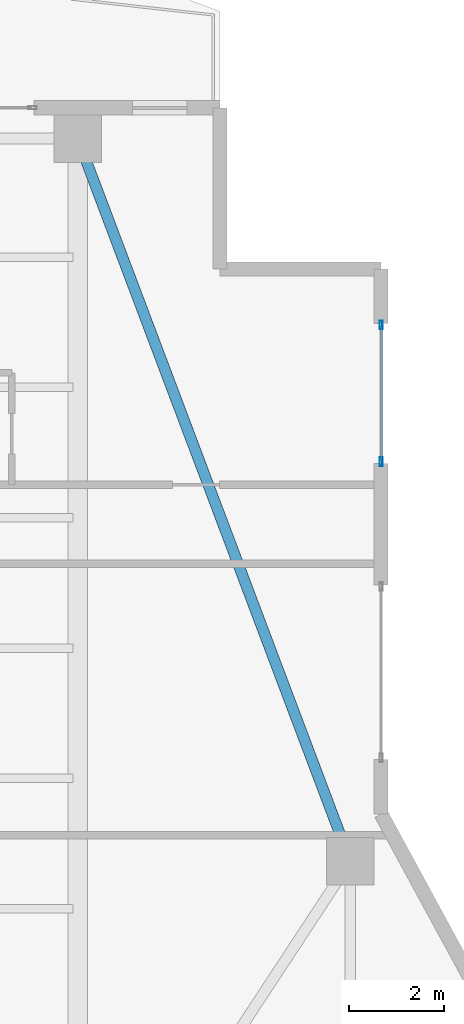
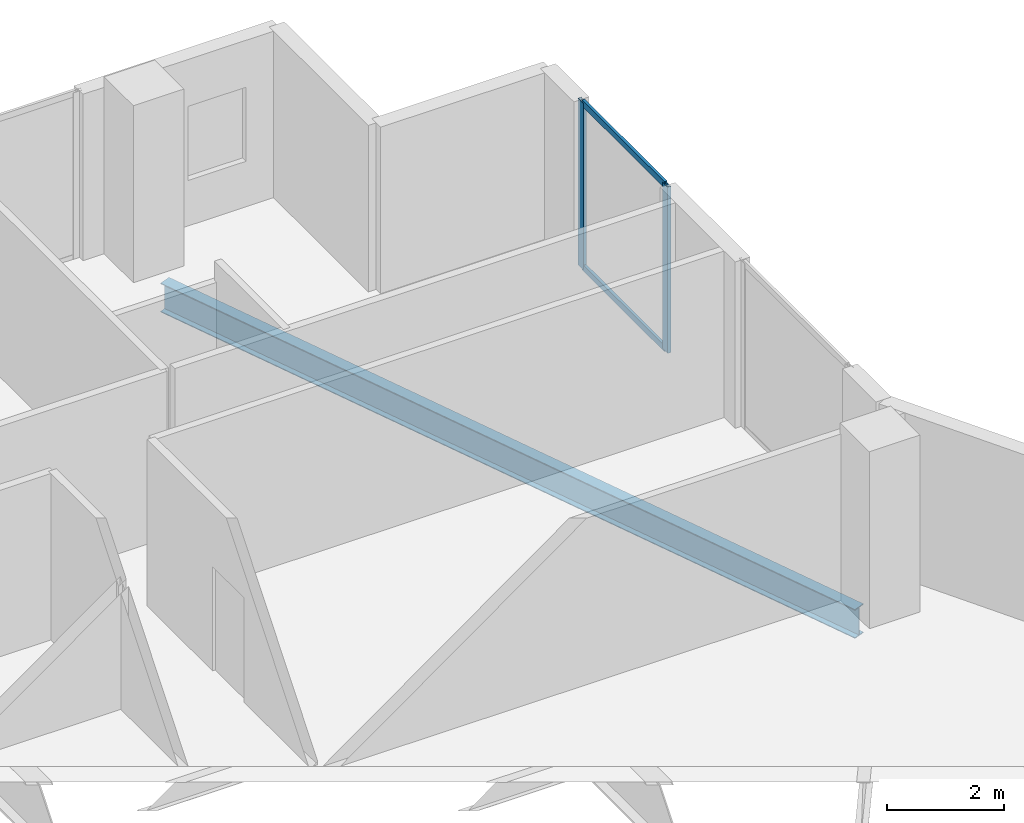
# One storey, part 16 of 25: 4 members, 1 beam, 1 element without a shape of its own.
"""IFC4 building model written with IfcOpenShell, lengths in metres."""

import ifcopenshell
import ifcopenshell.guid

model = None  # the IFC model being written
_history = None  # IfcOwnerHistory: only IFC2X3 demands one
_inside = {}  # id of a spatial element -> (the spatial element, [elements in it])
_under = {}  # id of a project, library or spatial element -> (it, [spatial elements below it])
_declared = {}  # id of a project -> (the project, [libraries it declares])
_typed = {}  # id of a type object -> (the type object, [elements of that type])
_made_of = {}  # id of a material, layer set ... -> (it, [elements and type objects made of it])


def new_model(schema):
    """Start an empty IFC model of exactly this schema.

    Asked for "IFC4X3", IfcOpenShell would pick the latest addendum, in which some entities
    have other attributes; the version numbers below select the first issue.
    IFC2X3 requires an IfcOwnerHistory on every rooted entity: one is made here for all.
    """
    global model, _history
    if schema == "IFC4X3":
        model = ifcopenshell.file(schema_version=(4, 3, 0, 0))
    else:
        model = ifcopenshell.file(schema=schema)
    _inside.clear()
    _under.clear()
    _declared.clear()
    _typed.clear()
    _made_of.clear()
    _history = None
    if model.schema == "IFC2X3":
        org = make("IfcOrganization", Name="unknown")
        user = make(
            "IfcPersonAndOrganization",
            ThePerson=make("IfcPerson", FamilyName="unknown"),
            TheOrganization=org,
        )
        app = make(
            "IfcApplication",
            ApplicationDeveloper=org,
            Version="unknown",
            ApplicationFullName="unknown",
            ApplicationIdentifier="unknown",
        )
        _history = make(
            "IfcOwnerHistory",
            OwningUser=user,
            OwningApplication=app,
            ChangeAction="ADDED",
            CreationDate=0,
        )
    return model


def make(cls, **values):
    """One entity of the class cls with the attributes given. An attribute that is None is left unset."""
    return model.create_entity(
        cls, **{name: value for name, value in values.items() if value is not None}
    )


def rooted(cls, **values):
    """An entity with a GlobalId (a new one), such as an element, a storey or a relation."""
    return make(cls, GlobalId=ifcopenshell.guid.new(), OwnerHistory=_history, **values)


def si_unit(unit_type, name, prefix=None):
    """IfcSIUnit, for example si_unit("LENGTHUNIT", "METRE", prefix="MILLI")."""
    return make("IfcSIUnit", UnitType=unit_type, Prefix=prefix, Name=name)


def assignment(units):
    """IfcUnitAssignment: the units of a project."""
    return None if units is None else make("IfcUnitAssignment", Units=units)


def point(xyz):
    """IfcCartesianPoint."""
    return None if xyz is None else make("IfcCartesianPoint", Coordinates=xyz)


def direction(xyz):
    """IfcDirection."""
    return None if xyz is None else make("IfcDirection", DirectionRatios=xyz)


def frame(location, z_axis=None, x_axis=None):
    """IfcAxis2Placement3D, a coordinate frame: its origin and axes. An axis left out is left unset."""
    return make(
        "IfcAxis2Placement3D",
        Location=point(location),
        Axis=direction(z_axis),
        RefDirection=direction(x_axis),
    )


def frame_2d(location, x_axis=None):
    """IfcAxis2Placement2D, a coordinate frame in the plane: its origin and x axis."""
    return make(
        "IfcAxis2Placement2D", Location=point(location), RefDirection=direction(x_axis)
    )


def origin():
    """The frame at (0, 0, 0) with its axes left unset."""
    return frame((0.0, 0.0, 0.0))


def origin_2d():
    """The frame at (0, 0) in the plane with its x axis left unset."""
    return frame_2d((0.0, 0.0))


def place(relative_to, where):
    """IfcLocalPlacement: puts the frame where relative to a parent placement (None: the world)."""
    return make(
        "IfcLocalPlacement", PlacementRelTo=relative_to, RelativePlacement=where
    )


def context(
    kind, dimensions, precision=None, world=None, true_north=None, identifier=None
):
    """IfcGeometricRepresentationContext, for example the 3D "Model" context."""
    return make(
        "IfcGeometricRepresentationContext",
        ContextIdentifier=identifier,
        ContextType=kind,
        CoordinateSpaceDimension=dimensions,
        Precision=precision,
        WorldCoordinateSystem=world,
        TrueNorth=true_north,
    )


def subcontext(parent, identifier, kind, view, scale=None):
    """IfcGeometricRepresentationSubContext, for example "Body" below "Model"."""
    return make(
        "IfcGeometricRepresentationSubContext",
        ContextIdentifier=identifier,
        ContextType=kind,
        ParentContext=parent,
        TargetScale=scale,
        TargetView=view,
    )


def project(units=None, contexts=None):
    """IfcProject with its units and contexts."""
    return rooted(
        "IfcProject",
        Name="project",
        RepresentationContexts=contexts,
        UnitsInContext=assignment(units),
    )


def spatial(cls, under=None, at=None, **own):
    """A site, building, storey or space (cls), placed at a placement, below another one or the project."""
    s = rooted(cls, ObjectPlacement=at, **own)
    if under is not None:
        _under.setdefault(under.id(), (under, []))[1].append(s)
    return s


def profile(cls, at=None, kind="AREA", **sizes):
    """A parametric profile (cls). Its sizes go by their IFC names, for example OverallWidth=200.0."""
    return make(cls, ProfileType=kind, Position=at, **sizes)


def hollow_rectangle(**sizes):
    """IfcRectangleHollowProfileDef."""
    return profile("IfcRectangleHollowProfileDef", **sizes)


def i_section(**sizes):
    """IfcIShapeProfileDef."""
    return profile("IfcIShapeProfileDef", **sizes)


def extrude(swept, where, along, depth):
    """IfcExtrudedAreaSolid: the profile swept, set in the frame where, extruded along a direction by depth."""
    return make(
        "IfcExtrudedAreaSolid",
        SweptArea=swept,
        Position=where,
        ExtrudedDirection=direction(along),
        Depth=depth,
    )


def shape(context_of_items, identifier, shape_type, items):
    """IfcShapeRepresentation: the items that make up one representation, for example the "Body"."""
    return make(
        "IfcShapeRepresentation",
        ContextOfItems=context_of_items,
        RepresentationIdentifier=identifier,
        RepresentationType=shape_type,
        Items=items,
    )


def material(Name=None, Category=None):
    """IfcMaterial."""
    return make("IfcMaterial", Name=Name, Category=Category)


def layer(
    of_material, thickness, ventilated=None, Name=None, Category=None, Priority=None
):
    """IfcMaterialLayer: one layer of a wall or slab, of a material (None: an air gap)."""
    return make(
        "IfcMaterialLayer",
        Material=of_material,
        LayerThickness=thickness,
        IsVentilated=ventilated,
        Name=Name,
        Category=Category,
        Priority=Priority,
    )


def layer_set(layers, Name=None):
    """IfcMaterialLayerSet."""
    return make("IfcMaterialLayerSet", MaterialLayers=layers, LayerSetName=Name)


def material_profile(
    of_material, cross_section, Name=None, Category=None, Priority=None
):
    """IfcMaterialProfile: a cross section and its material."""
    return make(
        "IfcMaterialProfile",
        Name=Name,
        Material=of_material,
        Profile=cross_section,
        Priority=Priority,
        Category=Category,
    )


def profile_set(profiles, Name=None, composite=None):
    """IfcMaterialProfileSet."""
    return make(
        "IfcMaterialProfileSet",
        Name=Name,
        MaterialProfiles=profiles,
        CompositeProfile=composite,
    )


def made_of(thing, what):
    """Note that an element or type object is made of a material, layer set ...; save() writes the relation."""
    if what is not None:
        _made_of.setdefault(what.id(), (what, []))[1].append(thing)
    return thing


def type_object(cls, material=None, **own):
    """A type object (cls), such as IfcWallType, which elements share."""
    return made_of(rooted(cls, **own), material)


def element(
    cls,
    number,
    at=None,
    inside=None,
    cuts=None,
    type_object=None,
    material=None,
    context=None,
    identifier="Body",
    shape_type=None,
    held_by="IfcProductDefinitionShape",
    body=None,
    shapes=None,
    **own,
):
    """One element of the class cls, such as IfcWall. Its Tag is "e" and its number.

    at: its placement. inside: the storey or other place that contains it. cuts: it is an
    opening in that element (IfcRelVoidsElement). A single representation is given by context,
    identifier, shape_type and body (its items); several are given by shapes. held_by: the class
    of the entity that holds the representations. save() writes the other relations.
    """
    e = rooted(cls, Tag="e%d" % number, ObjectPlacement=at, **own)
    if body is not None:
        shapes = [shape(context, identifier, shape_type, body)]
    if shapes is not None:
        e.Representation = make(held_by, Representations=shapes)
    if inside is not None:
        _inside.setdefault(inside.id(), (inside, []))[1].append(e)
    if cuts is not None:
        rooted(
            "IfcRelVoidsElement", RelatingBuildingElement=cuts, RelatedOpeningElement=e
        )
    if type_object is not None:
        _typed.setdefault(type_object.id(), (type_object, []))[1].append(e)
    return made_of(e, material)


def aggregate(whole, parts):
    """IfcRelAggregates: a whole, such as a stair, and the parts it consists of."""
    return rooted("IfcRelAggregates", RelatingObject=whole, RelatedObjects=parts)


def save(model, path):
    """Write the relations noted so far, then the file.

    IfcRelAggregates (storeys below a building ...), IfcRelContainedInSpatialStructure (elements
    in a storey), IfcRelDefinesByType, IfcRelAssociatesMaterial and IfcRelDeclares: one each for
    every whole, place, type object, material and project.
    """
    for whole, parts in _under.values():
        aggregate(whole, parts)
    for where, things in _inside.values():
        rooted(
            "IfcRelContainedInSpatialStructure",
            RelatedElements=things,
            RelatingStructure=where,
        )
    for kind, things in _typed.values():
        rooted("IfcRelDefinesByType", RelatedObjects=things, RelatingType=kind)
    for what, things in _made_of.values():
        rooted("IfcRelAssociatesMaterial", RelatedObjects=things, RelatingMaterial=what)
    for by, libraries in _declared.values():
        rooted("IfcRelDeclares", RelatingContext=by, RelatedDefinitions=libraries)
    model.write(path)


model = new_model("IFC4")

# Units and contexts
model_context = context("Model", 3, precision=1e-05, world=origin(), true_north=direction((0.0, 1.0)))
body_context = subcontext(model_context, "Body", "Model", "MODEL_VIEW")
ifc_project = project(units=[si_unit("LENGTHUNIT", "METRE"), si_unit("AREAUNIT", "SQUARE_METRE"), si_unit("VOLUMEUNIT", "CUBIC_METRE"), si_unit("PLANEANGLEUNIT", "RADIAN"), si_unit("MASSUNIT", "GRAM", prefix="KILO")], contexts=[model_context])

# Site, building, storey
site_placement = place(None, origin())
site = spatial("IfcSite", under=ifc_project, at=site_placement, CompositionType="ELEMENT")
building_placement = place(site_placement, origin())
building = spatial("IfcBuilding", under=site, at=building_placement, Name="Zuhayl Quay Hotel", CompositionType="ELEMENT")
storey_placement = place(building_placement, frame((0.0, 0.0, 250.75)))
storey = spatial("IfcBuildingStorey", under=building, at=storey_placement, Name="L63", CompositionType="ELEMENT", Elevation=250.75)

# Beam
ifc_material_1 = material(Name="Steel ASTM A992 Grade 50", Category="steel")
ifc_material_profile_1 = material_profile(ifc_material_1, i_section(OverallWidth=0.22802734375, OverallDepth=0.60693359375, WebThickness=0.01123046875, FlangeThickness=0.017333984375, at=origin_2d()), Name="W24X76")
ifc_profile_set_1 = profile_set([ifc_material_profile_1], Name="Steel ASTM A992 Grade 50")
beam_type = type_object("IfcBeamType", Name="BM_B3_W24X76", PredefinedType="BEAM", material=ifc_profile_set_1)
beam_placement = place(storey_placement, frame((19.3876953125, 23.530517578125, -0.5234375), z_axis=(-0.352796603103, 0.935700035716, 0.0), x_axis=(-0.935700035716, -0.352796603103, 0.0)))
element("IfcBeam", 1, at=beam_placement, inside=storey, type_object=beam_type, Name="L63 Floor Beam RG_L63_06", PredefinedType="BEAM", context=body_context, shape_type="SweptSolid", body=[
    extrude(i_section(OverallWidth=0.22802734375, OverallDepth=0.60693359375, WebThickness=0.01123046875, FlangeThickness=0.017333984375, at=origin_2d()), origin(), (0.0, 0.0, 1.0), 15.3779296875),
])

# Curtain wall, members
ifc_material_2 = material(Name="Anodised Aluminium 6063-T6", Category="aluminium")
ifc_layer = layer(ifc_material_2, 0.169921875, Name="Anodised Aluminium 6063-T6", Category="aluminium")
ifc_layer_set = layer_set([ifc_layer], Name="Anodised Aluminium 6063-T6")
curtain_wall_type = type_object("IfcCurtainWallType", Name="CW_SYS_Z4", PredefinedType="USERDEFINED", material=ifc_layer_set)
curtain_wall_placement = place(storey_placement, origin())
curtain_wall = element("IfcCurtainWall", 2, at=curtain_wall_placement, inside=storey, type_object=curtain_wall_type, Name="L63 Curtain Wall ENV_L63_E11_CW1", ObjectType="UNITISED CURTAIN WALL", PredefinedType="USERDEFINED")
ifc_material_3 = material(Name="Black-anodised aluminium 6063-T6", Category="aluminium")
ifc_material_profile_2 = material_profile(ifc_material_3, hollow_rectangle(XDim=0.06494140625, YDim=0.179931640625, WallThickness=0.00341796875, at=origin_2d()), Name="ALU180X65")
ifc_profile_set_2 = profile_set([ifc_material_profile_2], Name="Black-anodised aluminium 6063-T6")
member_type_1 = type_object("IfcMemberType", Name="MB_CW_MUL_180", PredefinedType="MULLION", material=ifc_profile_set_2)
member_1_placement = place(storey_placement, frame((20.199951171875, 34.41748046875, 0.0), z_axis=(0.0, 0.0, 1.0), x_axis=(1.0, 0.0, 0.0)))
member_1 = element("IfcMember", 3, at=member_1_placement, type_object=member_type_1, Name="CW-Z4 mullion 1", PredefinedType="MULLION", context=body_context, shape_type="SweptSolid", body=[
    extrude(hollow_rectangle(XDim=0.06494140625, YDim=0.179931640625, WallThickness=0.00341796875, at=origin_2d()), origin(), (0.0, 0.0, 1.0), 3.47998046875),
])
member_2_placement = place(storey_placement, frame((20.199951171875, 31.532470703125, 0.0), z_axis=(0.0, 0.0, 1.0), x_axis=(1.0, 0.0, 0.0)))
member_2 = element("IfcMember", 4, at=member_2_placement, type_object=member_type_1, Name="CW-Z4 mullion 2", PredefinedType="MULLION", context=body_context, shape_type="SweptSolid", body=[
    extrude(hollow_rectangle(XDim=0.06494140625, YDim=0.179931640625, WallThickness=0.00341796875, at=origin_2d()), origin(), (0.0, 0.0, 1.0), 3.47998046875),
])
ifc_material_profile_3 = material_profile(ifc_material_3, hollow_rectangle(XDim=0.054931640625, YDim=0.1298828125, WallThickness=0.0029296875, at=origin_2d()), Name="ALU130X55")
ifc_profile_set_3 = profile_set([ifc_material_profile_3], Name="Black-anodised aluminium 6063-T6")
member_type_2 = type_object("IfcMemberType", Name="MB_CW_TRN_130", PredefinedType="USERDEFINED", material=ifc_profile_set_3)
member_3_placement = place(storey_placement, frame((20.199951171875, 34.385009765625, 0.027587890625), z_axis=(0.0, -1.0, 0.0), x_axis=(1.0, 0.0, 0.0)))
member_3 = element("IfcMember", 5, at=member_3_placement, type_object=member_type_2, Name="CW-Z4 transom 1.1", ObjectType="TRANSOM", PredefinedType="USERDEFINED", context=body_context, shape_type="SweptSolid", body=[
    extrude(hollow_rectangle(XDim=0.054931640625, YDim=0.1298828125, WallThickness=0.0029296875, at=origin_2d()), origin(), (0.0, 0.0, 1.0), 2.820068359375),
])
member_4_placement = place(storey_placement, frame((20.199951171875, 34.385009765625, 3.452392578125), z_axis=(0.0, -1.0, 0.0), x_axis=(1.0, 0.0, 0.0)))
member_4 = element("IfcMember", 6, at=member_4_placement, type_object=member_type_2, Name="CW-Z4 transom 1.2", ObjectType="TRANSOM", PredefinedType="USERDEFINED", context=body_context, shape_type="SweptSolid", body=[
    extrude(hollow_rectangle(XDim=0.054931640625, YDim=0.1298828125, WallThickness=0.0029296875, at=origin_2d()), origin(), (0.0, 0.0, 1.0), 2.820068359375),
])
aggregate(curtain_wall, [member_1, member_2, member_3, member_4])

save(model, "model.ifc")
